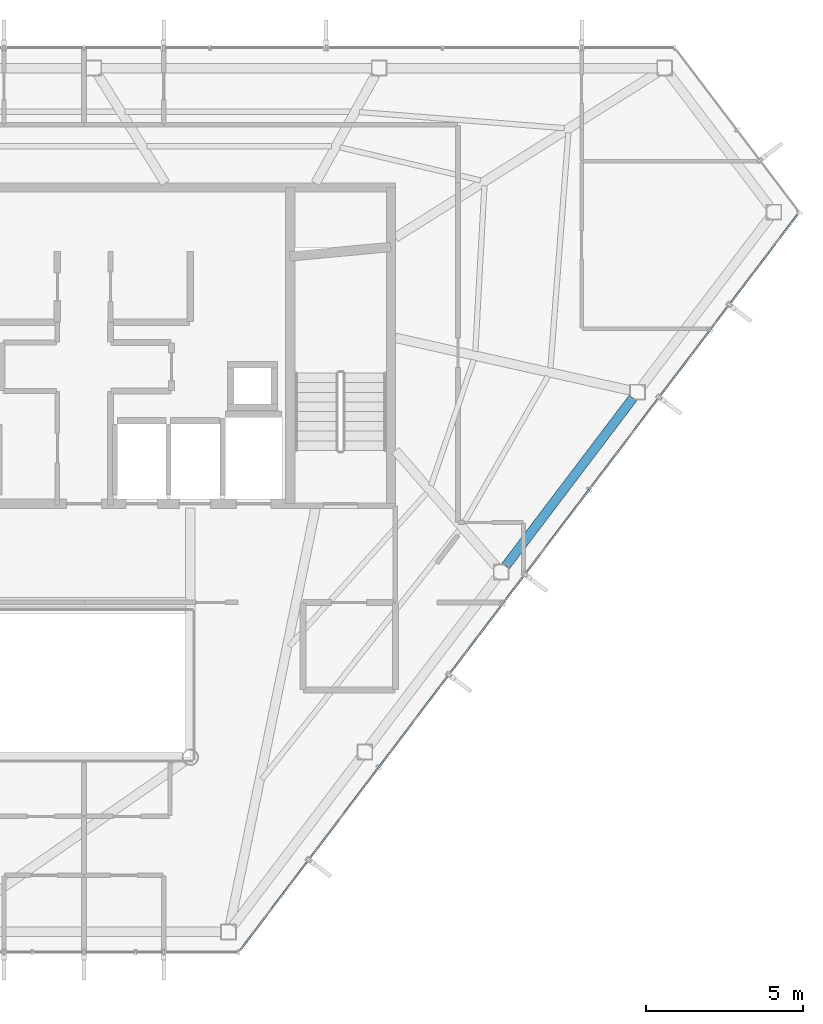
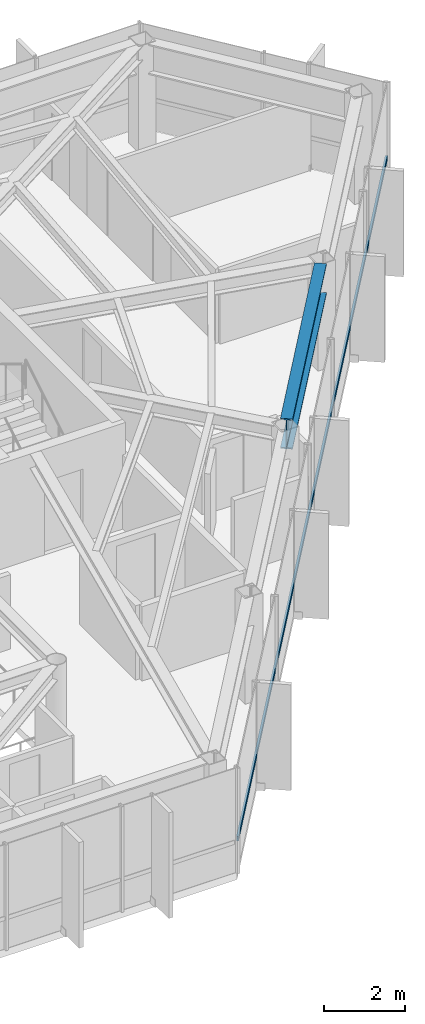
# One storey, part 16 of 25: 1 beam, 1 member, 1 element without a shape of its own.
"""IFC4 building model written with IfcOpenShell, lengths in metres."""

from ifc_helpers import new_model, si_unit, direction, frame, origin, origin_2d, place, context, subcontext, project, spatial, hollow_rectangle, i_section, extrude, material, layer, layer_set, material_profile, profile_set, type_object, element, aggregate, save


model = new_model("IFC4")

# Units and contexts
model_context = context("Model", 3, precision=1e-05, world=origin(), true_north=direction((0.0, 1.0)))
body_context = subcontext(model_context, "Body", "Model", "MODEL_VIEW")
ifc_project = project(units=[si_unit("LENGTHUNIT", "METRE"), si_unit("AREAUNIT", "SQUARE_METRE"), si_unit("VOLUMEUNIT", "CUBIC_METRE"), si_unit("PLANEANGLEUNIT", "RADIAN"), si_unit("MASSUNIT", "GRAM", prefix="KILO")], contexts=[model_context])

# Site, building, storey
site_placement = place(None, origin())
site = spatial("IfcSite", under=ifc_project, at=site_placement, CompositionType="ELEMENT")
building_placement = place(site_placement, origin())
building = spatial("IfcBuilding", under=site, at=building_placement, Name="Zarrinselat Tower", CompositionType="ELEMENT")
storey_placement = place(building_placement, frame((0.0, 0.0, 261.800048828125)))
storey = spatial("IfcBuildingStorey", under=building, at=storey_placement, Name="L66", CompositionType="ELEMENT", Elevation=261.800048828125)

# Beam
ifc_material_1 = material(Name="Steel S460M", Category="steel")
ifc_material_profile_1 = material_profile(ifc_material_1, i_section(OverallWidth=0.302001953125, OverallDepth=0.909912109375, WebThickness=0.02099609375, FlangeThickness=0.0400390625, at=origin_2d()), Name="HEM 900")
ifc_profile_set_1 = profile_set([ifc_material_profile_1], Name="Steel S460M")
beam_type = type_object("IfcBeamType", Name="BM-HEM900", PredefinedType="BEAM", material=ifc_profile_set_1)
beam_placement = place(storey_placement, frame((51.872802734375, 31.30712890625, 2.724853515625), z_axis=(0.603861177265, 0.797089504756, 0.0), x_axis=(-0.797089504756, 0.603861177265, 0.0)))
element("IfcBeam", 1, at=beam_placement, inside=storey, type_object=beam_type, Name="L66 Perimeter Spandrel Girder SP13", PredefinedType="BEAM", context=body_context, shape_type="SweptSolid", body=[
    extrude(i_section(OverallWidth=0.302001953125, OverallDepth=0.909912109375, WebThickness=0.02099609375, FlangeThickness=0.0400390625, at=origin_2d()), origin(), (0.0, 0.0, 1.0), 6.735595703125),
])

# Curtain wall, member
ifc_material_2 = material(Name="Extruded Aluminium Alloy EN AW-6063 T6", Category="aluminium")
ifc_layer = layer(ifc_material_2, 0.199951171875)
ifc_layer_set = layer_set([ifc_layer], Name="Extruded Aluminium Alloy EN AW-6063 T6")
curtain_wall_type = type_object("IfcCurtainWallType", Name="CWS-BLADE", PredefinedType="NOTDEFINED", material=ifc_layer_set)
curtain_wall_placement = place(storey_placement, origin())
curtain_wall = element("IfcCurtainWall", 2, at=curtain_wall_placement, inside=storey, type_object=curtain_wall_type, Name="L66 Unitised Curtain Wall CW-L66-E05", PredefinedType="NOTDEFINED")
ifc_material_3 = material(Name="Extruded Aluminium Alloy EN AW-6063 T6", Category="aluminium")
ifc_material_profile_2 = material_profile(ifc_material_3, hollow_rectangle(XDim=0.06005859375, YDim=0.139892578125, WallThickness=0.00390625, at=origin_2d()), Name="RHS 140x60x4")
ifc_profile_set_2 = profile_set([ifc_material_profile_2], Name="Extruded Aluminium Alloy EN AW-6063 T6")
member_type = type_object("IfcMemberType", Name="MEM-CW-TRN", PredefinedType="USERDEFINED", material=ifc_profile_set_2)
member_placement = place(storey_placement, frame((43.39697265625, 19.042724609375, 0.949951171875), z_axis=(0.603859282376, 0.797090940288, 0.0), x_axis=(-0.797090940288, 0.603859282376, 0.0)))
member = element("IfcMember", 3, at=member_placement, type_object=member_type, Name="CW-L66-E05 Transom 1", ObjectType="TRANSOM", PredefinedType="USERDEFINED", context=body_context, shape_type="SweptSolid", body=[
    extrude(hollow_rectangle(XDim=0.06005859375, YDim=0.139892578125, WallThickness=0.00390625, at=origin_2d()), origin(), (0.0, 0.0, 1.0), 29.481689453125),
])
aggregate(curtain_wall, [member])

save(model, "model.ifc")
